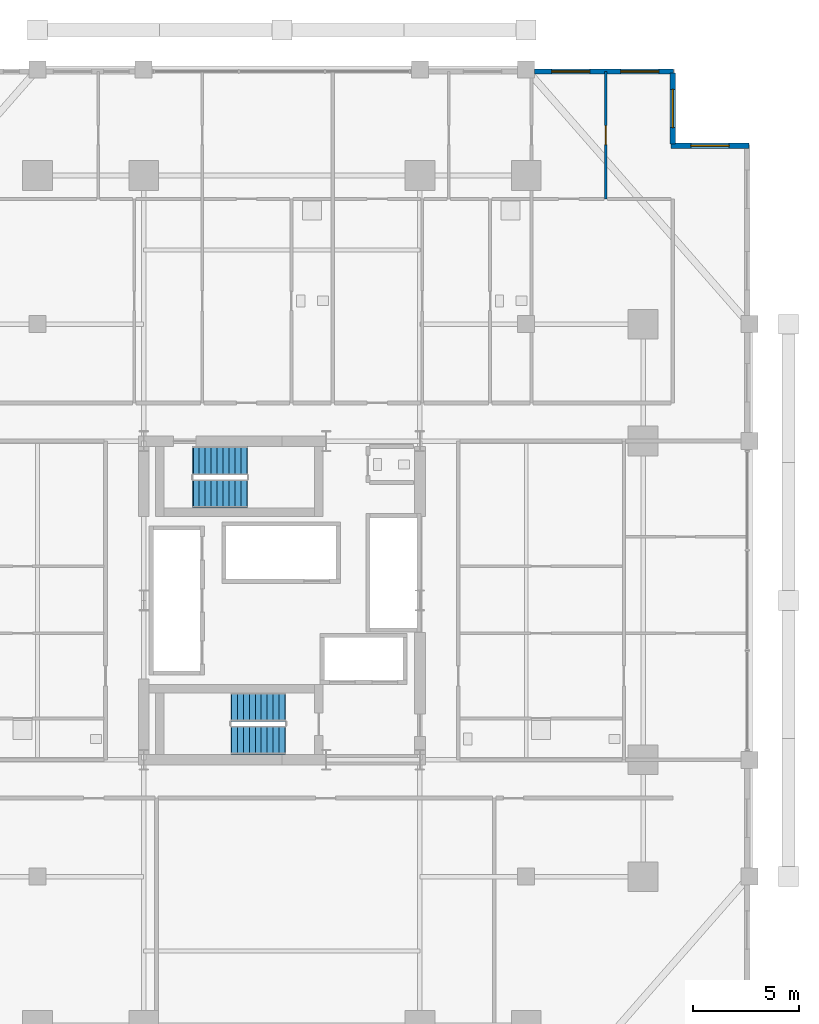
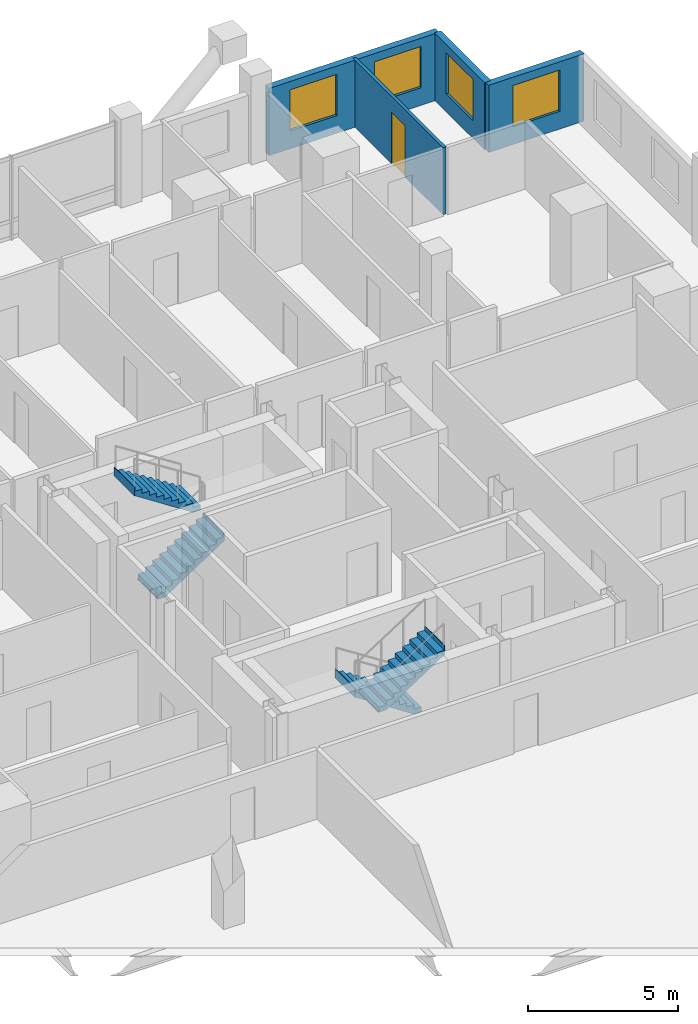
# One storey, part 21 of 23: 4 stair flights, 4 walls, 4 windows, 1 door, 5 openings, 2 elements without a shape of their own.
"""IFC4 building model written with IfcOpenShell, lengths in metres."""

from ifc_helpers import new_model, si_unit, direction, frame, frame_2d, origin, place, context, subcontext, project, spatial, polyline, rectangle, outline, extrude, material, layer, layer_set, type_object, element, fill, aggregate, save


model = new_model("IFC4")

# Units and contexts
model_context = context("Model", 3, precision=1e-05, world=origin(), true_north=direction((0.0, 1.0)))
body_context = subcontext(model_context, "Body", "Model", "MODEL_VIEW")
ifc_project = project(units=[si_unit("LENGTHUNIT", "METRE"), si_unit("AREAUNIT", "SQUARE_METRE"), si_unit("VOLUMEUNIT", "CUBIC_METRE"), si_unit("PLANEANGLEUNIT", "RADIAN"), si_unit("MASSUNIT", "GRAM", prefix="KILO")], contexts=[model_context])

# Site, building, storey
site_placement = place(None, origin())
site = spatial("IfcSite", under=ifc_project, at=site_placement, CompositionType="ELEMENT")
building_placement = place(site_placement, origin())
building = spatial("IfcBuilding", under=site, at=building_placement, Name="Barlavira Tower and Art Museum", CompositionType="ELEMENT")
storey_placement = place(building_placement, frame((0.0, 0.0, 57.60009765625)))
storey = spatial("IfcBuildingStorey", under=building, at=storey_placement, Name="L13", CompositionType="ELEMENT", Elevation=57.60009765625)

# Wall, opening, door
ifc_material_1 = material(Name="Gypsum acoustic stud partition", Category="gypsum")
ifc_layer_1 = layer(ifc_material_1, 0.1201171875, Name="Gypsum acoustic stud partition")
ifc_layer_set_1 = layer_set([ifc_layer_1], Name="Gypsum acoustic stud partition")
wall_type_1 = type_object("IfcWallType", Name="Apartment Internal Acoustic Partition 120", PredefinedType="PARTITIONING", material=ifc_layer_set_1)
wall_1_placement = place(storey_placement, frame((15.25, 18.89990234375, 0.0), z_axis=(0.0, 0.0, 1.0), x_axis=(0.0, 1.0, 0.0)))
wall_1 = element("IfcWall", 1, at=wall_1_placement, inside=storey, type_object=wall_type_1, Name="L13 Partition Wall 18", PredefinedType="PARTITIONING", context=body_context, shape_type="SweptSolid", body=[
    extrude(rectangle(XDim=6.0, YDim=0.1201171875, at=frame_2d((3.0, 0.0))), origin(), (0.0, 0.0, 1.0), 2.73583984375),
])
opening_1_placement = place(wall_1_placement, frame((2.550048828125, 0.0, 0.0)))
opening_1 = element("IfcOpeningElement", 2, at=opening_1_placement, cuts=wall_1, Name="Opening D-01", PredefinedType="OPENING", context=body_context, shape_type="SweptSolid", body=[
    extrude(rectangle(XDim=0.89990234375, YDim=2.10009765625, at=frame_2d((0.449951171875, 1.050048828125))), frame((0.0, 0.070068359375, 0.0), z_axis=(0.0, -1.0, 0.0), x_axis=(1.0, 0.0, 0.0)), (0.0, 0.0, 1.0), 0.14013671875),
])
ifc_material_2 = material(Name="Engineered coastal hardwood", Category="wood")
door_type = type_object("IfcDoorType", Name="Internal Bedroom Timber Flush Door 900x2100", OperationType="NOTDEFINED", PredefinedType="DOOR", material=ifc_material_2)
door_placement = place(opening_1_placement, origin())
door = element("IfcDoor", 3, at=door_placement, inside=storey, type_object=door_type, Name="Apartment N2 Bedroom 3 Door", OperationType="SINGLE_SWING_RIGHT", OverallHeight=2.10009765625, OverallWidth=0.89990234375, PredefinedType="DOOR", context=body_context, shape_type="SweptSolid", body=[
    extrude(rectangle(XDim=0.89990234375, YDim=2.10009765625, at=frame_2d((0.449951171875, 1.050048828125))), frame((0.0, 0.02490234375, 0.0), z_axis=(0.0, -1.0, 0.0), x_axis=(1.0, 0.0, 0.0)), (0.0, 0.0, 1.0), 0.050048828125),
])
fill(opening_1, door)

# Wall, openings, windows
ifc_material_3 = material(Name="Precast concrete C40", Category="concrete")
ifc_layer_2 = layer(ifc_material_3, 0.25, Name="Precast concrete C40")
ifc_layer_set_2 = layer_set([ifc_layer_2], Name="Precast concrete C40")
wall_type_2 = type_object("IfcWallType", Name="Notched Corner Spandrel Wall 250 Precast Concrete C40", PredefinedType="SOLIDWALL", material=ifc_layer_set_2)
wall_2_placement = place(storey_placement, frame((18.425048828125, 24.89990234375, 0.0), z_axis=(0.0, 0.0, 1.0), x_axis=(-1.0, 0.0, 0.0)))
wall_2 = element("IfcWall", 4, at=wall_2_placement, inside=storey, type_object=wall_type_2, Name="L13 Coastal Facade Pier Wall CW1-L13-N-1", PredefinedType="SOLIDWALL", context=body_context, shape_type="SweptSolid", body=[
    extrude(rectangle(XDim=6.530029296875, YDim=0.25, at=frame_2d((3.26513671875, 0.0))), origin(), (0.0, 0.0, 1.0), 2.73583984375),
])
opening_2_placement = place(wall_2_placement, frame((0.68310546875, 0.0, 0.719970703125)))
opening_2 = element("IfcOpeningElement", 5, at=opening_2_placement, cuts=wall_2, Name="Opening WN-01", PredefinedType="OPENING", context=body_context, shape_type="SweptSolid", body=[
    extrude(rectangle(XDim=1.800048828125, YDim=1.679931640625, at=frame_2d((0.89990234375, 0.83984375))), frame((0.0, 0.135009765625, 0.0), z_axis=(0.0, -1.0, 0.0), x_axis=(1.0, 0.0, 0.0)), (0.0, 0.0, 1.0), 0.27001953125),
])
opening_3_placement = place(wall_2_placement, frame((3.925048828125, 0.0, 0.719970703125)))
opening_3 = element("IfcOpeningElement", 6, at=opening_3_placement, cuts=wall_2, Name="Opening WN-01", PredefinedType="OPENING", context=body_context, shape_type="SweptSolid", body=[
    extrude(rectangle(XDim=1.800048828125, YDim=1.679931640625, at=frame_2d((0.89990234375, 0.83984375))), frame((0.0, 0.135009765625, 0.0), z_axis=(0.0, -1.0, 0.0), x_axis=(1.0, 0.0, 0.0)), (0.0, 0.0, 1.0), 0.27001953125),
])
ifc_material_4 = material(Name="Low-iron coastal laminated glass", Category="glass")
window_type = type_object("IfcWindowType", Name="Recessed Notch Corner Punch Window 1800x1680", PartitioningType="SINGLE_PANEL", PredefinedType="WINDOW", material=ifc_material_4)
window_1_placement = place(opening_2_placement, origin())
window_1 = element("IfcWindow", 7, at=window_1_placement, inside=storey, type_object=window_type, Name="L13 Punched Facade Window EWP-CW1-L13-N-1-1", OverallHeight=1.679931640625, OverallWidth=1.800048828125, PartitioningType="SINGLE_PANEL", PredefinedType="WINDOW", context=body_context, shape_type="SweptSolid", body=[
    extrude(rectangle(XDim=1.800048828125, YDim=1.679931640625, at=frame_2d((0.89990234375, 0.83984375))), frame((0.0, 0.030029296875, 0.0), z_axis=(0.0, -1.0, 0.0), x_axis=(1.0, 0.0, 0.0)), (0.0, 0.0, 1.0), 0.06005859375),
])
fill(opening_2, window_1)
window_2_placement = place(opening_3_placement, origin())
window_2 = element("IfcWindow", 8, at=window_2_placement, inside=storey, type_object=window_type, Name="L13 Punched Facade Window EWP-CW1-L13-N-1-2", OverallHeight=1.679931640625, OverallWidth=1.800048828125, PartitioningType="SINGLE_PANEL", PredefinedType="WINDOW", context=body_context, shape_type="SweptSolid", body=[
    extrude(rectangle(XDim=1.800048828125, YDim=1.679931640625, at=frame_2d((0.89990234375, 0.83984375))), frame((0.0, 0.030029296875, 0.0), z_axis=(0.0, -1.0, 0.0), x_axis=(1.0, 0.0, 0.0)), (0.0, 0.0, 1.0), 0.06005859375),
])
fill(opening_3, window_2)

# Wall, opening, window
wall_3_placement = place(storey_placement, frame((21.97998046875, 21.39990234375, 0.0), z_axis=(0.0, 0.0, 1.0), x_axis=(-1.0, 0.0, 0.0)))
wall_3 = element("IfcWall", 9, at=wall_3_placement, inside=storey, type_object=wall_type_2, Name="L13 Notch Corner Wall NE1", PredefinedType="SOLIDWALL", context=body_context, shape_type="SweptSolid", body=[
    extrude(rectangle(XDim=3.659912109375, YDim=0.25, at=frame_2d((1.830078125, 0.0))), origin(), (0.0, 0.0, 1.0), 2.73583984375),
])
opening_4_placement = place(wall_3_placement, frame((0.929931640625, 0.0, 0.719970703125)))
opening_4 = element("IfcOpeningElement", 10, at=opening_4_placement, cuts=wall_3, Name="Opening WN-01", PredefinedType="OPENING", context=body_context, shape_type="SweptSolid", body=[
    extrude(rectangle(XDim=1.800048828125, YDim=1.679931640625, at=frame_2d((0.89990234375, 0.83984375))), frame((0.0, 0.135009765625, 0.0), z_axis=(0.0, -1.0, 0.0), x_axis=(1.0, 0.0, 0.0)), (0.0, 0.0, 1.0), 0.27001953125),
])
window_3_placement = place(opening_4_placement, origin())
window_3 = element("IfcWindow", 11, at=window_3_placement, inside=storey, type_object=window_type, Name="L13 Punched Facade Window EW-NTC-L13-NE1-1", OverallHeight=1.679931640625, OverallWidth=1.800048828125, PartitioningType="SINGLE_PANEL", PredefinedType="WINDOW", context=body_context, shape_type="SweptSolid", body=[
    extrude(rectangle(XDim=1.800048828125, YDim=1.679931640625, at=frame_2d((0.89990234375, 0.83984375))), frame((0.0, 0.030029296875, 0.0), z_axis=(0.0, -1.0, 0.0), x_axis=(1.0, 0.0, 0.0)), (0.0, 0.0, 1.0), 0.06005859375),
])
fill(opening_4, window_3)

wall_4_placement = place(storey_placement, frame((18.39990234375, 21.47998046875, 0.0), z_axis=(0.0, 0.0, 1.0), x_axis=(0.0, 1.0, 0.0)))
wall_4 = element("IfcWall", 12, at=wall_4_placement, inside=storey, type_object=wall_type_2, Name="L13 Notch Corner Wall NE2", PredefinedType="SOLIDWALL", context=body_context, shape_type="SweptSolid", body=[
    extrude(rectangle(XDim=3.340087890625, YDim=0.25, at=frame_2d((1.669921875, 0.0))), origin(), (0.0, 0.0, 1.0), 2.73583984375),
])
opening_5_placement = place(wall_4_placement, frame((0.77001953125, 0.0, 0.719970703125)))
opening_5 = element("IfcOpeningElement", 13, at=opening_5_placement, cuts=wall_4, Name="Opening WN-01", PredefinedType="OPENING", context=body_context, shape_type="SweptSolid", body=[
    extrude(rectangle(XDim=1.800048828125, YDim=1.679931640625, at=frame_2d((0.89990234375, 0.83984375))), frame((0.0, 0.135009765625, 0.0), z_axis=(0.0, -1.0, 0.0), x_axis=(1.0, 0.0, 0.0)), (0.0, 0.0, 1.0), 0.27001953125),
])
window_4_placement = place(opening_5_placement, origin())
window_4 = element("IfcWindow", 14, at=window_4_placement, inside=storey, type_object=window_type, Name="L13 Punched Facade Window EW-NTC-L13-NE2-1", OverallHeight=1.679931640625, OverallWidth=1.800048828125, PartitioningType="SINGLE_PANEL", PredefinedType="WINDOW", context=body_context, shape_type="SweptSolid", body=[
    extrude(rectangle(XDim=1.800048828125, YDim=1.679931640625, at=frame_2d((0.89990234375, 0.83984375))), frame((0.0, 0.030029296875, 0.0), z_axis=(0.0, -1.0, 0.0), x_axis=(1.0, 0.0, 0.0)), (0.0, 0.0, 1.0), 0.06005859375),
])
fill(opening_5, window_4)

# Stair, stair flights
ifc_material_5 = material(Name="Concrete C45", Category="concrete")
stair_type_1 = type_object("IfcStairType", Name="Tower North Dog-Leg Exit Stair Assembly Concrete C45", PredefinedType="TWO_QUARTER_TURN_STAIR", material=ifc_material_5)
stair_1_placement = place(storey_placement, origin())
stair_1 = element("IfcStair", 15, at=stair_1_placement, inside=storey, type_object=stair_type_1, Name="L13 Tower North Exit Stair ST-T2", PredefinedType="TWO_QUARTER_TURN_STAIR")
ifc_material_6 = material(Name="Precast concrete C45", Category="concrete")
stair_flight_type_1 = type_object("IfcStairFlightType", Name="Tower North Dog-Leg Exit Stair Precast Flight 1350 Concrete C45", PredefinedType="STRAIGHT", material=ifc_material_6)
stair_flight_1_placement = place(storey_placement, frame((-4.169921875, 5.02490234375, 0.0), z_axis=(0.0, 0.0, 1.0), x_axis=(1.0, 0.0, 0.0)))
stair_flight_1 = element("IfcStairFlight", 16, at=stair_flight_1_placement, type_object=stair_flight_type_1, Name="ST-T2 flight 1", NumberOfRisers=10, NumberOfTreads=9, PredefinedType="STRAIGHT", RiserHeight=0.18, TreadLength=0.28, context=body_context, shape_type="SweptSolid", body=[
    extrude(outline(polyline([(-0.02490234375, 0.0), (0.0, 0.0), (0.0, 0.179931640625), (0.280029296875, 0.179931640625), (0.280029296875, 0.360107421875), (0.56005859375, 0.360107421875), (0.56005859375, 0.5400390625), (0.840087890625, 0.5400390625), (0.840087890625, 0.719970703125), (1.1201171875, 0.719970703125), (1.1201171875, 0.89990234375), (1.39990234375, 0.89990234375), (1.39990234375, 1.080078125), (1.679931640625, 1.080078125), (1.679931640625, 1.260009765625), (1.9599609375, 1.260009765625), (1.9599609375, 1.43994140625), (2.239990234375, 1.43994140625), (2.239990234375, 1.6201171875), (2.52001953125, 1.6201171875), (2.52001953125, 1.800048828125), (2.544921875, 1.800048828125), (2.544921875, 1.44189453125), (2.52001953125, 1.44189453125), (0.277099609375, -0.02490234375), (-0.02490234375, -0.02490234375), (-0.02490234375, 0.0)])), frame((0.0, 0.675048828125, 0.0), z_axis=(0.0, -1.0, 0.0), x_axis=(1.0, 0.0, 0.0)), (0.0, 0.0, 1.0), 1.35009765625),
])
stair_flight_2_placement = place(storey_placement, frame((-1.64990234375, 6.574951171875, 1.7998046875), z_axis=(0.0, 0.0, 1.0), x_axis=(-1.0, 0.0, 0.0)))
stair_flight_2 = element("IfcStairFlight", 17, at=stair_flight_2_placement, type_object=stair_flight_type_1, Name="ST-T2 flight 2", NumberOfRisers=10, NumberOfTreads=9, PredefinedType="STRAIGHT", RiserHeight=0.18, TreadLength=0.28, context=body_context, shape_type="SweptSolid", body=[
    extrude(outline(polyline([(-0.02490234375, 0.0), (0.0, 0.0), (0.0, 0.179931640625), (0.280029296875, 0.179931640625), (0.280029296875, 0.360107421875), (0.56005859375, 0.360107421875), (0.56005859375, 0.5400390625), (0.840087890625, 0.5400390625), (0.840087890625, 0.719970703125), (1.1201171875, 0.719970703125), (1.1201171875, 0.89990234375), (1.39990234375, 0.89990234375), (1.39990234375, 1.080078125), (1.679931640625, 1.080078125), (1.679931640625, 1.260009765625), (1.9599609375, 1.260009765625), (1.9599609375, 1.43994140625), (2.239990234375, 1.43994140625), (2.239990234375, 1.6201171875), (2.52001953125, 1.6201171875), (2.52001953125, 1.800048828125), (2.544921875, 1.800048828125), (2.544921875, 1.44189453125), (2.52001953125, 1.44189453125), (0.277099609375, -0.02490234375), (-0.02490234375, -0.02490234375), (-0.02490234375, 0.0)])), frame((0.0, 0.675048828125, 0.0), z_axis=(0.0, -1.0, 0.0), x_axis=(1.0, 0.0, 0.0)), (0.0, 0.0, 1.0), 1.35009765625),
])
aggregate(stair_1, [stair_flight_1, stair_flight_2])

stair_type_2 = type_object("IfcStairType", Name="Tower South Dog-Leg Exit Stair Assembly Concrete C45", PredefinedType="TWO_QUARTER_TURN_STAIR", material=ifc_material_5)
stair_2_placement = place(storey_placement, origin())
stair_2 = element("IfcStair", 18, at=stair_2_placement, inside=storey, type_object=stair_type_2, Name="L13 Tower South Exit Stair ST-T1", PredefinedType="TWO_QUARTER_TURN_STAIR")
stair_flight_type_2 = type_object("IfcStairFlightType", Name="Tower South Dog-Leg Exit Stair Precast Flight 1350 Concrete C45", PredefinedType="STRAIGHT", material=ifc_material_6)
stair_flight_3_placement = place(storey_placement, frame((0.14990234375, -5.02490234375, 0.0), z_axis=(0.0, 0.0, 1.0), x_axis=(-1.0, 0.0, 0.0)))
stair_flight_3 = element("IfcStairFlight", 19, at=stair_flight_3_placement, type_object=stair_flight_type_2, Name="ST-T1 flight 1", NumberOfRisers=10, NumberOfTreads=9, PredefinedType="STRAIGHT", RiserHeight=0.18, TreadLength=0.28, context=body_context, shape_type="SweptSolid", body=[
    extrude(outline(polyline([(-0.02490234375, 0.0), (0.0, 0.0), (0.0, 0.179931640625), (0.280029296875, 0.179931640625), (0.280029296875, 0.360107421875), (0.56005859375, 0.360107421875), (0.56005859375, 0.5400390625), (0.840087890625, 0.5400390625), (0.840087890625, 0.719970703125), (1.1201171875, 0.719970703125), (1.1201171875, 0.89990234375), (1.39990234375, 0.89990234375), (1.39990234375, 1.080078125), (1.679931640625, 1.080078125), (1.679931640625, 1.260009765625), (1.9599609375, 1.260009765625), (1.9599609375, 1.43994140625), (2.239990234375, 1.43994140625), (2.239990234375, 1.6201171875), (2.52001953125, 1.6201171875), (2.52001953125, 1.800048828125), (2.544921875, 1.800048828125), (2.544921875, 1.44189453125), (2.52001953125, 1.44189453125), (0.277099609375, -0.02490234375), (-0.02490234375, -0.02490234375), (-0.02490234375, 0.0)])), frame((0.0, 0.675048828125, 0.0), z_axis=(0.0, -1.0, 0.0), x_axis=(1.0, 0.0, 0.0)), (0.0, 0.0, 1.0), 1.35009765625),
])
stair_flight_4_placement = place(storey_placement, frame((-2.3701171875, -6.574951171875, 1.7998046875), z_axis=(0.0, 0.0, 1.0), x_axis=(1.0, 0.0, 0.0)))
stair_flight_4 = element("IfcStairFlight", 20, at=stair_flight_4_placement, type_object=stair_flight_type_2, Name="ST-T1 flight 2", NumberOfRisers=10, NumberOfTreads=9, PredefinedType="STRAIGHT", RiserHeight=0.18, TreadLength=0.28, context=body_context, shape_type="SweptSolid", body=[
    extrude(outline(polyline([(-0.02490234375, 0.0), (0.0, 0.0), (0.0, 0.179931640625), (0.280029296875, 0.179931640625), (0.280029296875, 0.360107421875), (0.56005859375, 0.360107421875), (0.56005859375, 0.5400390625), (0.840087890625, 0.5400390625), (0.840087890625, 0.719970703125), (1.1201171875, 0.719970703125), (1.1201171875, 0.89990234375), (1.39990234375, 0.89990234375), (1.39990234375, 1.080078125), (1.679931640625, 1.080078125), (1.679931640625, 1.260009765625), (1.9599609375, 1.260009765625), (1.9599609375, 1.43994140625), (2.239990234375, 1.43994140625), (2.239990234375, 1.6201171875), (2.52001953125, 1.6201171875), (2.52001953125, 1.800048828125), (2.544921875, 1.800048828125), (2.544921875, 1.44189453125), (2.52001953125, 1.44189453125), (0.277099609375, -0.02490234375), (-0.02490234375, -0.02490234375), (-0.02490234375, 0.0)])), frame((0.0, 0.675048828125, 0.0), z_axis=(0.0, -1.0, 0.0), x_axis=(1.0, 0.0, 0.0)), (0.0, 0.0, 1.0), 1.35009765625),
])
aggregate(stair_2, [stair_flight_3, stair_flight_4])

save(model, "model.ifc")
